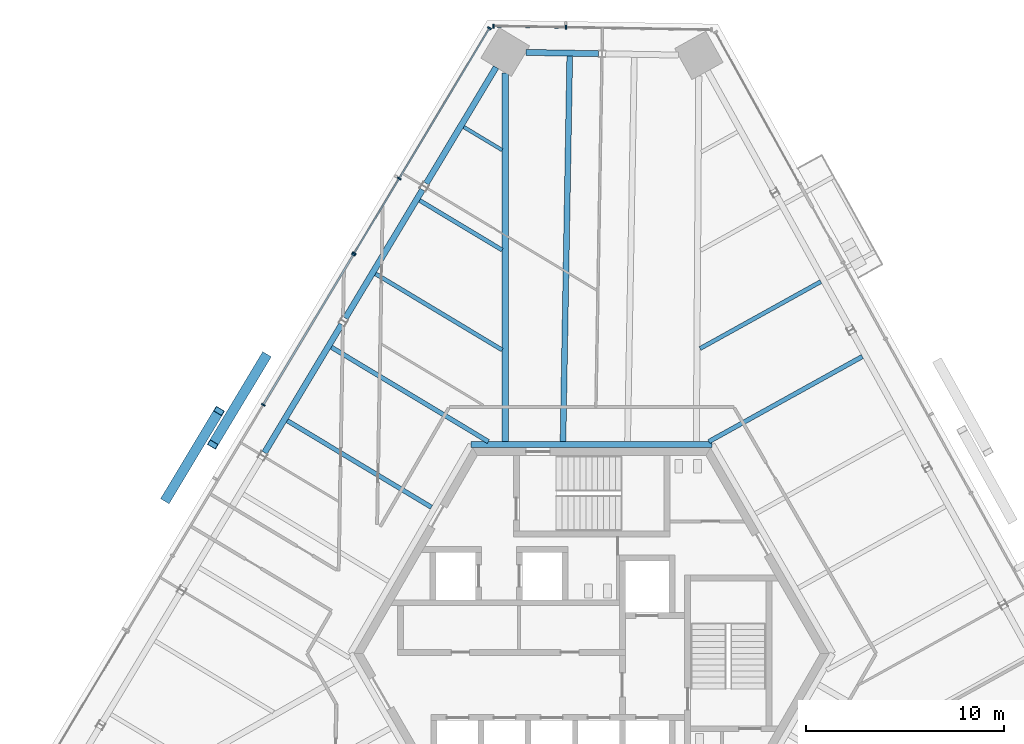
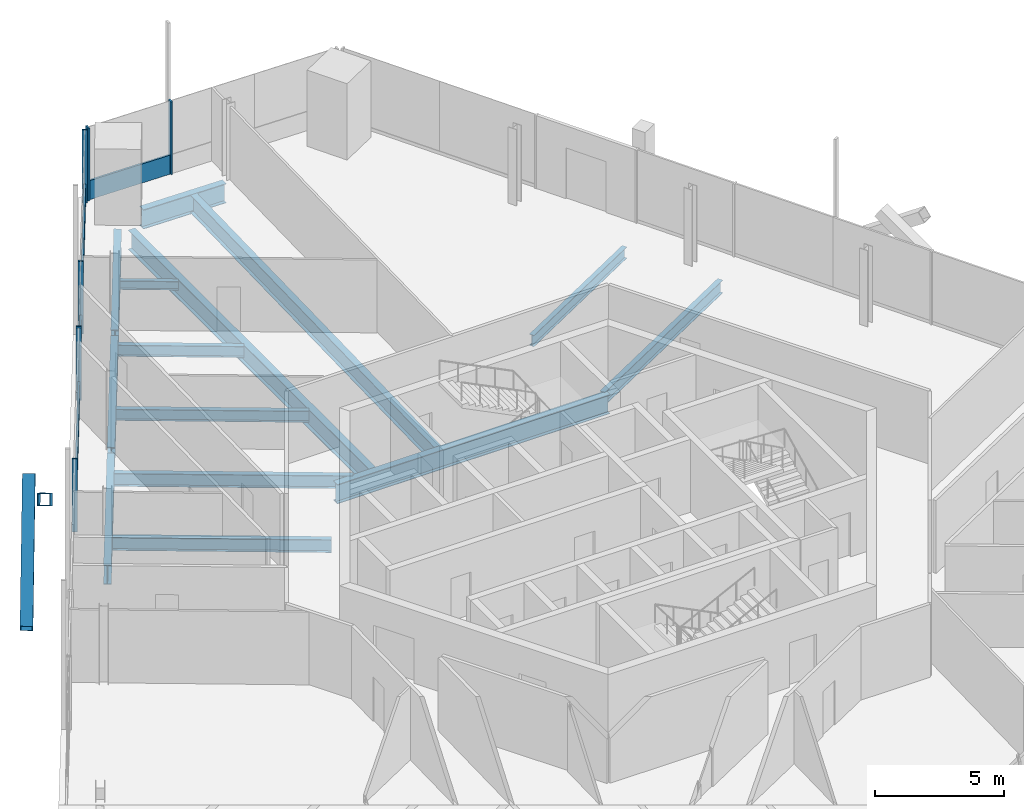
# One storey, part 8 of 20: 14 beams, 13 members, 3 elements without a shape of their own.
"""IFC4 building model written with IfcOpenShell, lengths in metres."""

from ifc_helpers import new_model, si_unit, direction, frame, origin, origin_2d, place, context, subcontext, project, spatial, rectangle, hollow_rectangle, i_section, extrude, source, transform, mapped, material, material_profile, profile_set, type_object, element, aggregate, save


model = new_model("IFC4")

# Units and contexts
model_context = context("Model", 3, precision=1e-05, world=origin(), true_north=direction((0.0, 1.0)))
body_context = subcontext(model_context, "Body", "Model", "MODEL_VIEW")
ifc_project = project(units=[si_unit("LENGTHUNIT", "METRE"), si_unit("AREAUNIT", "SQUARE_METRE"), si_unit("VOLUMEUNIT", "CUBIC_METRE"), si_unit("PLANEANGLEUNIT", "RADIAN"), si_unit("MASSUNIT", "GRAM", prefix="KILO")], contexts=[model_context])

# Site, building, storey
site_placement = place(None, origin())
site = spatial("IfcSite", under=ifc_project, at=site_placement, CompositionType="ELEMENT")
building_placement = place(site_placement, origin())
building = spatial("IfcBuilding", under=site, at=building_placement, Name="Triune Harvest Tower", CompositionType="ELEMENT")
storey_placement = place(building_placement, frame((0.0, 0.0, 194.300048828125)))
storey = spatial("IfcBuildingStorey", under=building, at=storey_placement, Name="L50", CompositionType="ELEMENT", Elevation=194.300048828125)

# Beams
ifc_material_1 = material(Name="Steel ASTM A992 Gr 50", Category="steel")
ifc_material_profile_1 = material_profile(ifc_material_1, i_section(OverallWidth=0.3046875, OverallDepth=0.914306640625, WebThickness=0.0166015625, FlangeThickness=0.02587890625, at=origin_2d()), Name="W36x160")
ifc_profile_set_1 = profile_set([ifc_material_profile_1], Name="Steel ASTM A992 Gr 50")
beam_type_1 = type_object("IfcBeamType", Name="CG-1 Core ring girder W36x160", PredefinedType="BEAM", material=ifc_profile_set_1)
shared_shape_1 = source(origin(), body_context, "Body", "SweptSolid", [
    extrude(i_section(OverallWidth=0.3046875, OverallDepth=0.914306640625, WebThickness=0.0166015625, FlangeThickness=0.02587890625, at=origin_2d()), origin(), (0.0, 0.0, 1.0), 12.17578125),
])
beam_1_placement = place(storey_placement, frame((6.087890625, 10.544677734375, -0.6171875), z_axis=(-1.0, 0.0, 0.0), x_axis=(0.0, -1.0, 0.0)))
element("IfcBeam", 1, at=beam_1_placement, inside=storey, type_object=beam_type_1, Name="beam/L50/CG2", PredefinedType="BEAM", context=body_context, shape_type="MappedRepresentation", body=[
    mapped(shared_shape_1, transform((0.0, 0.0, 0.0), scale=1.0)),
])
ifc_material_2 = material(Name="Steel ASTM A992 Gr 50", Category="steel")
ifc_material_profile_2 = material_profile(ifc_material_2, i_section(OverallWidth=0.3046875, OverallDepth=0.914306640625, WebThickness=0.0166015625, FlangeThickness=0.02587890625, at=origin_2d()), Name="W36x160")
ifc_profile_set_2 = profile_set([ifc_material_profile_2], Name="Steel ASTM A992 Gr 50")
beam_type_2 = type_object("IfcBeamType", Name="SB-1 Spandrel beam W36x160", PredefinedType="SPANDREL", material=ifc_profile_set_2)
shared_shape_2 = source(origin(), body_context, "Body", "SweptSolid", [
    extrude(i_section(OverallWidth=0.3046875, OverallDepth=0.914306640625, WebThickness=0.0166015625, FlangeThickness=0.02587890625, at=origin_2d()), origin(), (0.0, 0.0, 1.0), 3.66357421875),
])
beam_2_placement = place(storey_placement, frame((0.343017578125, 30.281494140625, -0.6171875), z_axis=(-0.999846408449, 0.01752596677, 0.0), x_axis=(-0.01752596677, -0.999846408449, 0.0)))
element("IfcBeam", 2, at=beam_2_placement, inside=storey, type_object=beam_type_2, Name="beam/L50/SB8", PredefinedType="SPANDREL", context=body_context, shape_type="MappedRepresentation", body=[
    mapped(shared_shape_2, transform((0.0, 0.0, 0.0), scale=1.0)),
])
shared_shape_3 = source(origin(), body_context, "Body", "SweptSolid", [
    extrude(i_section(OverallWidth=0.3046875, OverallDepth=0.914306640625, WebThickness=0.0166015625, FlangeThickness=0.02587890625, at=origin_2d()), origin(), (0.0, 0.0, 1.0), 6.842041015625),
])
beam_3_placement = place(storey_placement, frame((-4.822509765625, 29.59228515625, -0.6171875), z_axis=(-0.515041383774, -0.857165312527, 0.0), x_axis=(0.857165312527, -0.515041383774, 0.0)))
element("IfcBeam", 3, at=beam_3_placement, inside=storey, type_object=beam_type_2, Name="beam/L50/SB9", PredefinedType="SPANDREL", context=body_context, shape_type="MappedRepresentation", body=[
    mapped(shared_shape_3, transform((0.0, 0.0, 0.0), scale=1.0)),
])
shared_shape_4 = source(origin(), body_context, "Body", "SweptSolid", [
    extrude(i_section(OverallWidth=0.3046875, OverallDepth=0.914306640625, WebThickness=0.0166015625, FlangeThickness=0.02587890625, at=origin_2d()), origin(), (0.0, 0.0, 1.0), 7.556640625),
])
for number, where, z_axis, x_axis, name in (
    (4, (-8.537353515625, 23.409912109375, -0.6171875), (-0.515027794287, -0.857173477839, 0.0), (0.857173477839, -0.515027794287, 0.0), "beam/L50/SB10"),
    (5, (-12.6201171875, 16.614990234375, -0.6171875), (-0.515027794287, -0.857173477839, 0.0), (0.857173477839, -0.515027794287, 0.0), "beam/L50/SB11"),
):
    element("IfcBeam", number, at=place(storey_placement, frame(where, z_axis=z_axis, x_axis=x_axis)), inside=storey, type_object=beam_type_2, Name=name, PredefinedType="SPANDREL", context=body_context, shape_type="MappedRepresentation", body=[
        mapped(shared_shape_4, transform((0.0, 0.0, 0.0), scale=1.0)),
    ])
ifc_material_3 = material(Name="Steel ASTM A992 Gr 50", Category="steel")
ifc_material_profile_3 = material_profile(ifc_material_3, i_section(OverallWidth=0.307373046875, OverallDepth=0.922119140625, WebThickness=0.018310546875, FlangeThickness=0.030029296875, at=origin_2d()), Name="W36x182")
ifc_profile_set_3 = profile_set([ifc_material_profile_3], Name="Steel ASTM A992 Gr 50")
beam_type_3 = type_object("IfcBeamType", Name="HG-2 Hip girder W36x182", PredefinedType="BEAM", material=ifc_profile_set_3)
shared_shape_5 = source(origin(), body_context, "Body", "SweptSolid", [
    extrude(i_section(OverallWidth=0.307373046875, OverallDepth=0.922119140625, WebThickness=0.018310546875, FlangeThickness=0.030029296875, at=origin_2d()), origin(), (0.0, 0.0, 1.0), 18.61669921875),
])
beam_4_placement = place(storey_placement, frame((-4.359130859375, 29.313720703125, -0.62109375), z_axis=(0.0, -1.0, 0.0), x_axis=(1.0, 0.0, 0.0)))
element("IfcBeam", 6, at=beam_4_placement, inside=storey, type_object=beam_type_3, Name="beam/L50/HG4", PredefinedType="BEAM", context=body_context, shape_type="MappedRepresentation", body=[
    mapped(shared_shape_5, transform((0.0, 0.0, 0.0), scale=1.0)),
])
ifc_material_4 = material(Name="Steel ASTM A992 Gr 50", Category="steel")
ifc_material_profile_4 = material_profile(ifc_material_4, i_section(OverallWidth=0.180908203125, OverallDepth=0.41650390625, WebThickness=0.010986328125, FlangeThickness=0.01806640625, at=origin_2d()), Name="W16x57")
ifc_profile_set_4 = profile_set([ifc_material_profile_4], Name="Steel ASTM A992 Gr 50")
beam_type_4 = type_object("IfcBeamType", Name="JT-1 Floor joist W16x57", PredefinedType="JOIST", material=ifc_profile_set_4)
shared_shape_6 = source(origin(), body_context, "Body", "SweptSolid", [
    extrude(i_section(OverallWidth=0.180908203125, OverallDepth=0.41650390625, WebThickness=0.010986328125, FlangeThickness=0.01806640625, at=origin_2d()), origin(), (0.0, 0.0, 1.0), 2.266357421875),
])
beam_5_placement = place(storey_placement, frame((-6.455322265625, 26.578857421875, -0.368408203125), z_axis=(0.857169580884, -0.515034280031, 0.0), x_axis=(0.515034280031, 0.857169580884, 0.0)))
element("IfcBeam", 7, at=beam_5_placement, inside=storey, type_object=beam_type_4, Name="beam/L50/JT13", PredefinedType="JOIST", context=body_context, shape_type="MappedRepresentation", body=[
    mapped(shared_shape_6, transform((0.0, 0.0, 0.0), scale=1.0)),
])
ifc_material_5 = material(Name="Steel ASTM A992 Gr 50", Category="steel")
ifc_material_profile_5 = material_profile(ifc_material_5, i_section(OverallWidth=0.22900390625, OverallDepth=0.612060546875, WebThickness=0.011962890625, FlangeThickness=0.01953125, at=origin_2d()), Name="W24x84")
ifc_profile_set_5 = profile_set([ifc_material_profile_5], Name="Steel ASTM A992 Gr 50")
beam_type_5 = type_object("IfcBeamType", Name="JT-3 Floor joist W24x84", PredefinedType="JOIST", material=ifc_profile_set_5)
shared_shape_7 = source(origin(), body_context, "Body", "SweptSolid", [
    extrude(i_section(OverallWidth=0.22900390625, OverallDepth=0.612060546875, WebThickness=0.011962890625, FlangeThickness=0.01953125, at=origin_2d()), origin(), (0.0, 0.0, 1.0), 9.247314453125),
])
beam_6_placement = place(storey_placement, frame((-13.136474609375, 15.459716796875, -0.466064453125), z_axis=(0.857168952485, -0.515035325872, 0.0), x_axis=(0.515035325872, 0.857168952485, 0.0)))
element("IfcBeam", 8, at=beam_6_placement, inside=storey, type_object=beam_type_5, Name="beam/L50/JT16", PredefinedType="JOIST", context=body_context, shape_type="MappedRepresentation", body=[
    mapped(shared_shape_7, transform((0.0, 0.0, 0.0), scale=1.0)),
])
shared_shape_8 = source(origin(), body_context, "Body", "SweptSolid", [
    extrude(i_section(OverallWidth=0.22900390625, OverallDepth=0.612060546875, WebThickness=0.011962890625, FlangeThickness=0.01953125, at=origin_2d()), origin(), (0.0, 0.0, 1.0), 8.85888671875),
])
beam_7_placement = place(storey_placement, frame((13.66796875, 14.991943359375, -0.466064453125), z_axis=(-0.874614472557, -0.484819063563, 0.0), x_axis=(0.484819063563, -0.874614472557, 0.0)))
element("IfcBeam", 9, at=beam_7_placement, inside=storey, type_object=beam_type_5, Name="beam/L50/JT7", PredefinedType="JOIST", context=body_context, shape_type="MappedRepresentation", body=[
    mapped(shared_shape_8, transform((0.0, 0.0, 0.0), scale=1.0)),
])
ifc_material_6 = material(Name="Steel ASTM A992 Gr 50", Category="steel")
ifc_material_profile_6 = material_profile(ifc_material_6, i_section(OverallWidth=0.2099609375, OverallDepth=0.535888671875, WebThickness=0.010986328125, FlangeThickness=0.017333984375, at=origin_2d()), Name="W21x68")
ifc_profile_set_6 = profile_set([ifc_material_profile_6], Name="Steel ASTM A992 Gr 50")
beam_type_6 = type_object("IfcBeamType", Name="JT-2 Floor joist W21x68", PredefinedType="JOIST", material=ifc_profile_set_6)
shared_shape_9 = source(origin(), body_context, "Body", "SweptSolid", [
    extrude(i_section(OverallWidth=0.2099609375, OverallDepth=0.535888671875, WebThickness=0.010986328125, FlangeThickness=0.017333984375, at=origin_2d()), origin(), (0.0, 0.0, 1.0), 6.97265625),
])
beam_8_placement = place(storey_placement, frame((11.57177734375, 18.773681640625, -0.427978515625), z_axis=(-0.874620980943, -0.484807322236, 0.0), x_axis=(0.484807322236, -0.874620980943, 0.0)))
element("IfcBeam", 10, at=beam_8_placement, inside=storey, type_object=beam_type_6, Name="beam/L50/JT8", PredefinedType="JOIST", context=body_context, shape_type="MappedRepresentation", body=[
    mapped(shared_shape_9, transform((0.0, 0.0, 0.0), scale=1.0)),
])
ifc_material_7 = material(Name="Steel ASTM A992 Gr 50", Category="steel")
ifc_material_profile_7 = material_profile(ifc_material_7, i_section(OverallWidth=0.2919921875, OverallDepth=0.8408203125, WebThickness=0.0146484375, FlangeThickness=0.021728515625, at=origin_2d()), Name="W33x130")
ifc_profile_set_7 = profile_set([ifc_material_profile_7], Name="Steel ASTM A992 Gr 50")
beam_type_7 = type_object("IfcBeamType", Name="JT-6 Floor joist W33x130", PredefinedType="JOIST", material=ifc_profile_set_7)
shared_shape_10 = source(origin(), body_context, "Body", "SweptSolid", [
    extrude(i_section(OverallWidth=0.2919921875, OverallDepth=0.8408203125, WebThickness=0.0146484375, FlangeThickness=0.021728515625, at=origin_2d()), origin(), (0.0, 0.0, 1.0), 19.460205078125),
])
beam_9_placement = place(storey_placement, frame((-1.103515625, 30.154296875, -0.58056640625), z_axis=(-0.017450947707, -0.999847720618, 0.0), x_axis=(0.999847720618, -0.017450947707, 0.0)))
element("IfcBeam", 11, at=beam_9_placement, inside=storey, type_object=beam_type_7, Name="beam/L50/JT12", PredefinedType="JOIST", context=body_context, shape_type="MappedRepresentation", body=[
    mapped(shared_shape_10, transform((0.0, 0.0, 0.0), scale=1.0)),
])
shared_shape_11 = source(origin(), body_context, "Body", "SweptSolid", [
    extrude(i_section(OverallWidth=0.2099609375, OverallDepth=0.535888671875, WebThickness=0.010986328125, FlangeThickness=0.017333984375, at=origin_2d()), origin(), (0.0, 0.0, 1.0), 4.864501953125),
])
beam_10_placement = place(storey_placement, frame((-8.682373046875, 22.87255859375, -0.427978515625), z_axis=(0.857169483424, -0.515034442233, 0.0), x_axis=(0.515034442233, 0.857169483424, 0.0)))
element("IfcBeam", 12, at=beam_10_placement, inside=storey, type_object=beam_type_6, Name="beam/L50/JT14", PredefinedType="JOIST", context=body_context, shape_type="MappedRepresentation", body=[
    mapped(shared_shape_11, transform((0.0, 0.0, 0.0), scale=1.0)),
])
shared_shape_12 = source(origin(), body_context, "Body", "SweptSolid", [
    extrude(i_section(OverallWidth=0.2099609375, OverallDepth=0.535888671875, WebThickness=0.010986328125, FlangeThickness=0.017333984375, at=origin_2d()), origin(), (0.0, 0.0, 1.0), 7.462646484375),
])
beam_11_placement = place(storey_placement, frame((-10.909423828125, 19.166259765625, -0.427978515625), z_axis=(0.857169453827, -0.515034491492, 0.0), x_axis=(0.515034491492, 0.857169453827, 0.0)))
element("IfcBeam", 13, at=beam_11_placement, inside=storey, type_object=beam_type_6, Name="beam/L50/JT15", PredefinedType="JOIST", context=body_context, shape_type="MappedRepresentation", body=[
    mapped(shared_shape_12, transform((0.0, 0.0, 0.0), scale=1.0)),
])
shared_shape_13 = source(origin(), body_context, "Body", "SweptSolid", [
    extrude(i_section(OverallWidth=0.22900390625, OverallDepth=0.612060546875, WebThickness=0.011962890625, FlangeThickness=0.01953125, at=origin_2d()), origin(), (0.0, 0.0, 1.0), 8.48583984375),
])
beam_12_placement = place(storey_placement, frame((-15.36328125, 11.75341796875, -0.466064453125), z_axis=(0.857160193187, -0.515049903616, 0.0), x_axis=(0.515049903616, 0.857160193187, 0.0)))
element("IfcBeam", 14, at=beam_12_placement, inside=storey, type_object=beam_type_5, Name="beam/L50/JT17", PredefinedType="JOIST", context=body_context, shape_type="MappedRepresentation", body=[
    mapped(shared_shape_13, transform((0.0, 0.0, 0.0), scale=1.0)),
])

# Members
ifc_material_8 = material(Name="Steel ASTM A572 Gr 50", Category="steel")
ifc_material_profile_8 = material_profile(ifc_material_8, hollow_rectangle(XDim=0.5, YDim=0.5, WallThickness=0.030029296875, at=origin_2d()), Name="Box 500x500x30")
ifc_profile_set_8 = profile_set([ifc_material_profile_8], Name="Steel ASTM A572 Gr 50")
member_type_1 = type_object("IfcMemberType", Name="BR-3 Brace Box 500x500x30", PredefinedType="BRACE", material=ifc_profile_set_8)
shared_shape_14 = source(origin(), body_context, "Body", "SweptSolid", [
    extrude(hollow_rectangle(XDim=0.5, YDim=0.5, WallThickness=0.030029296875, at=origin_2d()), origin(), (0.0, 0.0, 1.0), 6.302978515625),
])
for number, where, z_axis, x_axis, name in (
    (15, (-16.460693359375, 14.984375, 0.0), (-0.422750996044, -0.703616624806, 0.571143800317), (0.857180490419, -0.515016122898, 0.0), "brace/B5-F3/d1/5"),
    (16, (-21.472412109375, 7.80810546875, 0.0), (0.422750996044, 0.703616624806, 0.571143800317), (-0.857180490419, 0.515016122898, 0.0), "brace/B5-F3/d2/5"),
):
    element("IfcMember", number, at=place(storey_placement, frame(where, z_axis=z_axis, x_axis=x_axis)), inside=storey, type_object=member_type_1, Name=name, PredefinedType="BRACE", context=body_context, shape_type="MappedRepresentation", body=[
        mapped(shared_shape_14, transform((0.0, 0.0, 0.0), scale=1.0)),
    ])

# Curtain wall, members
ifc_material_9 = material(Name="Aluminium bronze anodised", Category="aluminium")
curtain_wall_type_1 = type_object("IfcCurtainWallType", Name="CW-1 Tower stick curtain wall", PredefinedType="NOTDEFINED", material=ifc_material_9)
curtain_wall_1_placement = place(storey_placement, origin())
curtain_wall_1 = element("IfcCurtainWall", 17, at=curtain_wall_1_placement, inside=storey, type_object=curtain_wall_type_1, Name="CW-1 B5-F2 L50 run 1")
ifc_material_10 = material(Name="Aluminium bronze anodised", Category="aluminium")
ifc_material_profile_9 = material_profile(ifc_material_10, rectangle(XDim=0.199951171875, YDim=0.074951171875, at=origin_2d()), Name="MU-1 mullion 75 x 200")
ifc_profile_set_9 = profile_set([ifc_material_profile_9], Name="Aluminium bronze anodised")
member_type_2 = type_object("IfcMemberType", Name="MU-1 mullion 75 x 200", PredefinedType="MULLION", material=ifc_profile_set_9)
shared_shape_15 = source(origin(), body_context, "Body", "SweptSolid", [
    extrude(rectangle(XDim=0.199951171875, YDim=0.074951171875, at=origin_2d()), origin(), (0.0, 0.0, 1.0), 3.43994140625),
])
member_1_placement = place(storey_placement, frame((-1.298583984375, 31.612548828125, 0.0), z_axis=(0.0, 0.0, 1.0), x_axis=(-0.017446318452, -0.999847801404, 0.0)))
member_1 = element("IfcMember", 18, at=member_1_placement, type_object=member_type_2, Name="CW-1 mullion B5-F2 1.3", PredefinedType="MULLION", context=body_context, shape_type="MappedRepresentation", body=[
    mapped(shared_shape_15, transform((0.0, 0.0, 0.0), scale=1.0)),
])
member_2_placement = place(storey_placement, frame((-4.960693359375, 31.676513671875, 0.0), z_axis=(0.0, 0.0, 1.0), x_axis=(-0.017446318452, -0.999847801404, 0.0)))
member_2 = element("IfcMember", 19, at=member_2_placement, type_object=member_type_2, Name="CW-1 mullion B5-F2 1.4", PredefinedType="MULLION", context=body_context, shape_type="MappedRepresentation", body=[
    mapped(shared_shape_15, transform((0.0, 0.0, 0.0), scale=1.0)),
])

curtain_wall_2_placement = place(storey_placement, origin())
curtain_wall_2 = element("IfcCurtainWall", 20, at=curtain_wall_2_placement, inside=storey, type_object=curtain_wall_type_1, Name="CW-1 B5-F3 L50 run 1")
member_3_placement = place(storey_placement, frame((-5.15380859375, 31.5693359375, 0.0), z_axis=(0.0, 0.0, 1.0), x_axis=(0.857169345736, -0.515034671387, 0.0)))
member_3 = element("IfcMember", 21, at=member_3_placement, type_object=member_type_2, Name="CW-1 mullion B5-F3 1.1", PredefinedType="MULLION", context=body_context, shape_type="MappedRepresentation", body=[
    mapped(shared_shape_15, transform((0.0, 0.0, 0.0), scale=1.0)),
])
member_4_placement = place(storey_placement, frame((-9.71240234375, 23.982666015625, 0.0), z_axis=(0.0, 0.0, 1.0), x_axis=(0.857169345736, -0.515034671387, 0.0)))
member_4 = element("IfcMember", 22, at=member_4_placement, type_object=member_type_2, Name="CW-1 mullion B5-F3 1.3", PredefinedType="MULLION", context=body_context, shape_type="MappedRepresentation", body=[
    mapped(shared_shape_15, transform((0.0, 0.0, 0.0), scale=1.0)),
])
member_5_placement = place(storey_placement, frame((-11.98193359375, 20.205322265625, 0.0), z_axis=(0.0, 0.0, 1.0), x_axis=(0.857169345736, -0.515034671387, 0.0)))
member_5 = element("IfcMember", 23, at=member_5_placement, type_object=member_type_2, Name="CW-1 mullion B5-F3 1.4", PredefinedType="MULLION", context=body_context, shape_type="MappedRepresentation", body=[
    mapped(shared_shape_15, transform((0.0, 0.0, 0.0), scale=1.0)),
])

ifc_material_11 = material(Name="Aluminium bronze anodised", Category="aluminium")
curtain_wall_type_2 = type_object("IfcCurtainWallType", Name="CW-7 Tower stick curtain wall with insulated spandrel infill", PredefinedType="NOTDEFINED", material=ifc_material_11)
curtain_wall_3_placement = place(storey_placement, origin())
curtain_wall_3 = element("IfcCurtainWall", 24, at=curtain_wall_3_placement, inside=storey, type_object=curtain_wall_type_2, Name="CW-7 B5-F3 L50 run 1001")
member_6_placement = place(storey_placement, frame((-12.0205078125, 20.140869140625, 0.0), z_axis=(0.0, 0.0, 1.0), x_axis=(0.857166753732, -0.51503898522, 0.0)))
member_6 = element("IfcMember", 25, at=member_6_placement, type_object=member_type_2, Name="CW-7 mullion B5-F3 1001.1", PredefinedType="MULLION", context=body_context, shape_type="MappedRepresentation", body=[
    mapped(shared_shape_15, transform((0.0, 0.0, 0.0), scale=1.0)),
])
member_7_placement = place(storey_placement, frame((-16.5791015625, 12.55419921875, 0.0), z_axis=(0.0, 0.0, 1.0), x_axis=(0.857166753732, -0.51503898522, 0.0)))
member_7 = element("IfcMember", 26, at=member_7_placement, type_object=member_type_2, Name="CW-7 mullion B5-F3 1001.3", PredefinedType="MULLION", context=body_context, shape_type="MappedRepresentation", body=[
    mapped(shared_shape_15, transform((0.0, 0.0, 0.0), scale=1.0)),
])

# Member
ifc_material_12 = material(Name="Aluminium bronze anodised", Category="aluminium")
ifc_material_profile_10 = material_profile(ifc_material_12, rectangle(XDim=0.090087890625, YDim=0.89990234375, at=origin_2d()), Name="TR-1 transom 90 x 900")
ifc_profile_set_10 = profile_set([ifc_material_profile_10], Name="Aluminium bronze anodised")
member_type_3 = type_object("IfcMemberType", Name="TR-1 transom 90 x 900", PredefinedType="USERDEFINED", material=ifc_profile_set_10)
shared_shape_16 = source(origin(), body_context, "Body", "SweptSolid", [
    extrude(rectangle(XDim=0.090087890625, YDim=0.89990234375, at=origin_2d()), origin(), (0.0, 0.0, 1.0), 3.58740234375),
])
member_8_placement = place(storey_placement, frame((-1.336181640625, 31.61328125, 0.449951171875), z_axis=(-0.999848228853, 0.017421804151, 0.0), x_axis=(-0.017421804151, -0.999848228853, 0.0)))
member_8 = element("IfcMember", 27, at=member_8_placement, type_object=member_type_3, Name="CW-1 transom B5-F2 1.2", ObjectType="TRANSOM", PredefinedType="USERDEFINED", context=body_context, shape_type="MappedRepresentation", body=[
    mapped(shared_shape_16, transform((0.0, 0.0, 0.0), scale=1.0)),
])

aggregate(curtain_wall_1, [member_1, member_2, member_8])

shared_shape_17 = source(origin(), body_context, "Body", "SweptSolid", [
    extrude(rectangle(XDim=0.090087890625, YDim=0.89990234375, at=origin_2d()), origin(), (0.0, 0.0, 1.0), 8.776123046875),
])
member_9_placement = place(storey_placement, frame((-5.173095703125, 31.537353515625, 0.449951171875), z_axis=(-0.515031570023, -0.857171209199, 0.0), x_axis=(0.857171209199, -0.515031570023, 0.0)))
member_9 = element("IfcMember", 28, at=member_9_placement, type_object=member_type_3, Name="CW-1 transom B5-F3 1.1", ObjectType="TRANSOM", PredefinedType="USERDEFINED", context=body_context, shape_type="MappedRepresentation", body=[
    mapped(shared_shape_17, transform((0.0, 0.0, 0.0), scale=1.0)),
])

shared_shape_18 = source(origin(), body_context, "Body", "SweptSolid", [
    extrude(rectangle(XDim=0.090087890625, YDim=0.89990234375, at=origin_2d()), origin(), (0.0, 0.0, 1.0), 4.331787109375),
])
member_10_placement = place(storey_placement, frame((-9.731689453125, 23.950439453125, 0.449951171875), z_axis=(-0.515017819003, -0.857179471353, 0.0), x_axis=(0.857179471353, -0.515017819003, 0.0)))
member_10 = element("IfcMember", 29, at=member_10_placement, type_object=member_type_3, Name="CW-1 transom B5-F3 1.2", ObjectType="TRANSOM", PredefinedType="USERDEFINED", context=body_context, shape_type="MappedRepresentation", body=[
    mapped(shared_shape_18, transform((0.0, 0.0, 0.0), scale=1.0)),
])

aggregate(curtain_wall_2, [member_3, member_4, member_5, member_9, member_10])

shared_shape_19 = source(origin(), body_context, "Body", "SweptSolid", [
    extrude(rectangle(XDim=0.090087890625, YDim=0.89990234375, at=origin_2d()), origin(), (0.0, 0.0, 1.0), 8.77587890625),
])
member_11_placement = place(storey_placement, frame((-12.0400390625, 20.10888671875, 0.449951171875), z_axis=(-0.515023411296, -0.85717611132, 0.0), x_axis=(0.85717611132, -0.515023411296, 0.0)))
member_11 = element("IfcMember", 30, at=member_11_placement, type_object=member_type_3, Name="CW-7 transom B5-F3 1001.1", ObjectType="TRANSOM", PredefinedType="USERDEFINED", context=body_context, shape_type="MappedRepresentation", body=[
    mapped(shared_shape_19, transform((0.0, 0.0, 0.0), scale=1.0)),
])

aggregate(curtain_wall_3, [member_6, member_7, member_11])

save(model, "model.ifc")
